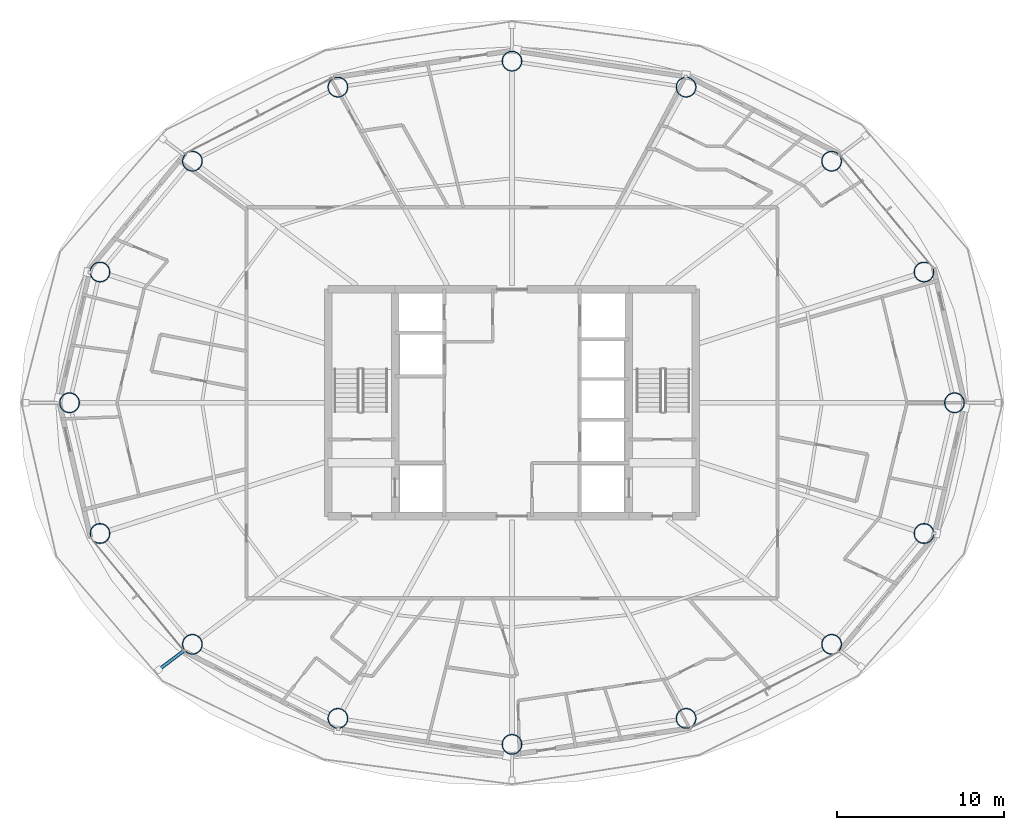
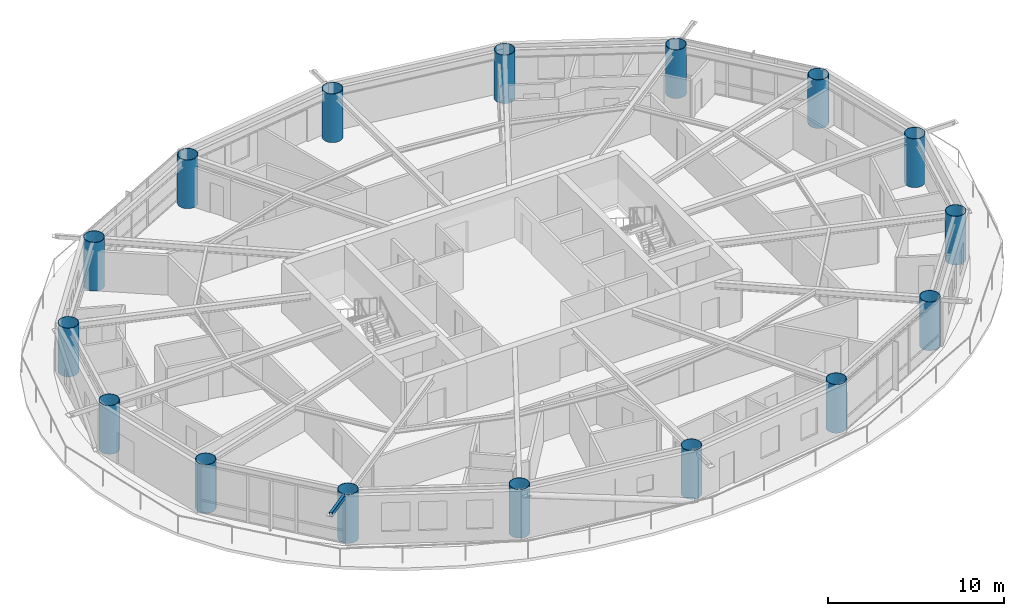
# One storey, part 1 of 27: 16 columns, 1 member.
"""IFC4 building model written with IfcOpenShell, lengths in metres."""

from ifc_helpers import new_model, si_unit, direction, frame, origin, origin_2d, place, context, subcontext, project, spatial, hollow_rectangle, hollow_circle, extrude, material, material_profile, profile_set, type_object, element, save


model = new_model("IFC4")

# Units and contexts
model_context = context("Model", 3, precision=1e-05, world=origin(), true_north=direction((0.0, 1.0)))
body_context = subcontext(model_context, "Body", "Model", "MODEL_VIEW")
ifc_project = project(units=[si_unit("LENGTHUNIT", "METRE"), si_unit("AREAUNIT", "SQUARE_METRE"), si_unit("VOLUMEUNIT", "CUBIC_METRE"), si_unit("PLANEANGLEUNIT", "RADIAN"), si_unit("MASSUNIT", "GRAM", prefix="KILO")], contexts=[model_context])

# Site, building, storey
site_placement = place(None, origin())
site = spatial("IfcSite", under=ifc_project, at=site_placement, CompositionType="ELEMENT")
building_placement = place(site_placement, origin())
building = spatial("IfcBuilding", under=site, at=building_placement, Name="Sarneth Arch Tower", CompositionType="ELEMENT")
storey_placement = place(building_placement, frame((0.0, 0.0, 186.60009765625)))
storey = spatial("IfcBuildingStorey", under=building, at=storey_placement, Name="L47", CompositionType="ELEMENT", Elevation=186.60009765625)

# Columns
ifc_material_1 = material(Name="Steel S355", Category="steel")
ifc_material_profile_1 = material_profile(ifc_material_1, hollow_circle(Radius=0.60009765625, WallThickness=0.031982421875, at=origin_2d()), Name="CHS1200x32")
ifc_profile_set_1 = profile_set([ifc_material_profile_1], Name="Steel S355")
column_type = type_object("IfcColumnType", Name="COL-MEGA-1200", PredefinedType="COLUMN", material=ifc_profile_set_1)
for number, where, z_axis, x_axis, name in (
    (1, (74.487060546875, 42.0, 0.0), (0.0, 0.0, 1.0), (1.0, 0.0, 0.0), "L47 Perimeter mega-column M01"),
    (2, (72.662109375, 49.825927734375, 0.0), (0.0, 0.0, 1.0), (1.0, 0.0, 0.0), "L47 Perimeter mega-column M02"),
    (3, (67.1337890625, 56.46044921875, 0.0), (0.0, 0.0, 1.0), (1.0, 0.0, 0.0), "L47 Perimeter mega-column M03"),
    (4, (58.421875, 60.893310546875, 0.0), (0.0, 0.0, 1.0), (1.0, 0.0, 0.0), "L47 Perimeter mega-column M04"),
    (5, (48.0, 62.449951171875, 0.0), (0.0, 0.0, 1.0), (1.0, 0.0, 0.0), "L47 Perimeter mega-column M05"),
    (6, (37.578125, 60.893310546875, 0.0), (0.0, 0.0, 1.0), (1.0, 0.0, 0.0), "L47 Perimeter mega-column M06"),
    (7, (28.8662109375, 56.46044921875, 0.0), (0.0, 0.0, 1.0), (1.0, 0.0, 0.0), "L47 Perimeter mega-column M07"),
    (8, (23.337890625, 49.825927734375, 0.0), (0.0, 0.0, 1.0), (1.0, 0.0, 0.0), "L47 Perimeter mega-column M08"),
    (9, (21.512939453125, 42.0, 0.0), (0.0, 0.0, 1.0), (1.0, 0.0, 0.0), "L47 Perimeter mega-column M09"),
    (10, (23.337890625, 34.174072265625, 0.0), (0.0, 0.0, 1.0), (1.0, 0.0, 0.0), "L47 Perimeter mega-column M10"),
    (11, (28.8662109375, 27.53955078125, 0.0), (0.0, 0.0, 1.0), (1.0, 0.0, 0.0), "L47 Perimeter mega-column M11"),
    (12, (37.578125, 23.106689453125, 0.0), (0.0, 0.0, 1.0), (1.0, 0.0, 0.0), "L47 Perimeter mega-column M12"),
    (13, (48.0, 21.550048828125, 0.0), (0.0, 0.0, 1.0), (1.0, 0.0, 0.0), "L47 Perimeter mega-column M13"),
    (14, (58.421875, 23.106689453125, 0.0), (0.0, 0.0, 1.0), (1.0, 0.0, 0.0), "L47 Perimeter mega-column M14"),
    (15, (67.1337890625, 27.53955078125, 0.0), (0.0, 0.0, 1.0), (1.0, 0.0, 0.0), "L47 Perimeter mega-column M15"),
    (16, (72.662109375, 34.174072265625, 0.0), (0.0, 0.0, 1.0), (1.0, 0.0, 0.0), "L47 Perimeter mega-column M16"),
):
    element("IfcColumn", number, at=place(storey_placement, frame(where, z_axis=z_axis, x_axis=x_axis)), inside=storey, type_object=column_type, Name=name, PredefinedType="COLUMN", context=body_context, shape_type="SweptSolid", body=[
        extrude(hollow_circle(Radius=0.60009765625, WallThickness=0.031982421875, at=origin_2d()), origin(), (0.0, 0.0, 1.0), 3.3798828125),
    ])

# Member
ifc_material_2 = material(Name="Steel S355", Category="steel")
ifc_material_profile_2 = material_profile(ifc_material_2, hollow_rectangle(XDim=0.199951171875, YDim=0.300048828125, WallThickness=0.012451171875, InnerFilletRadius=0.018798828125, OuterFilletRadius=0.03125, at=origin_2d()), Name="RHS300x200x12.5")
ifc_profile_set_2 = profile_set([ifc_material_profile_2], Name="Steel S355")
member_type = type_object("IfcMemberType", Name="MEM-CANT-STRUT", PredefinedType="STRUT", material=ifc_profile_set_2)
member_placement = place(storey_placement, frame((28.387451171875, 27.177978515625, 3.219970703125), z_axis=(-0.797715767172, -0.603033626596, 0.0), x_axis=(0.603033626596, -0.797715767172, 0.0)))
element("IfcMember", 17, at=member_placement, inside=storey, type_object=member_type, Name="L47 Balcony cantilever bracket 11", PredefinedType="STRUT", context=body_context, shape_type="SweptSolid", body=[
    extrude(hollow_rectangle(XDim=0.199951171875, YDim=0.300048828125, WallThickness=0.012451171875, InnerFilletRadius=0.018798828125, OuterFilletRadius=0.03125, at=origin_2d()), origin(), (0.0, 0.0, 1.0), 1.9287109375),
])

save(model, "model.ifc")
